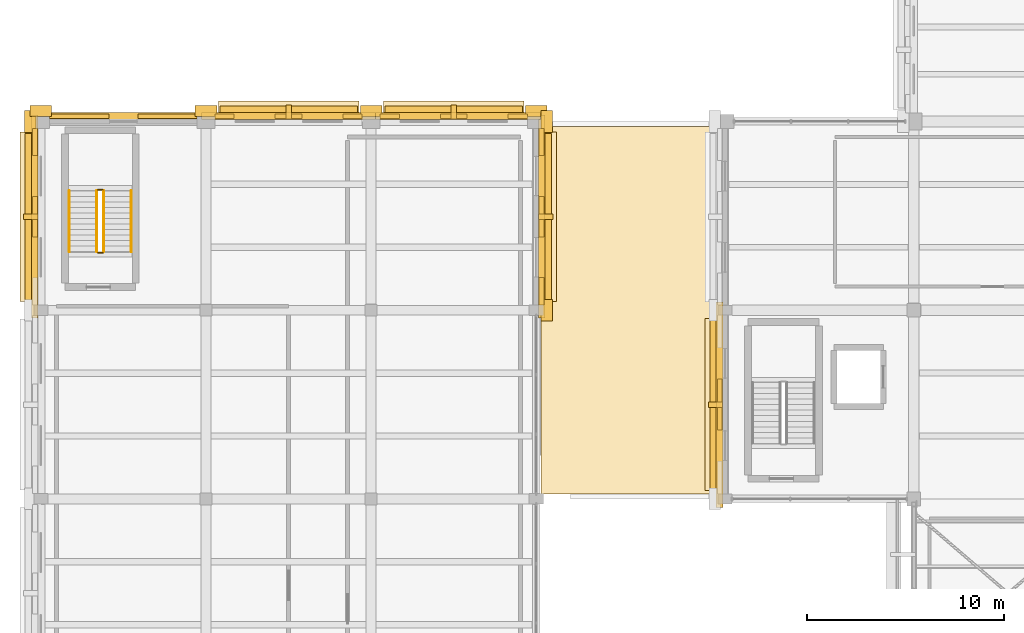
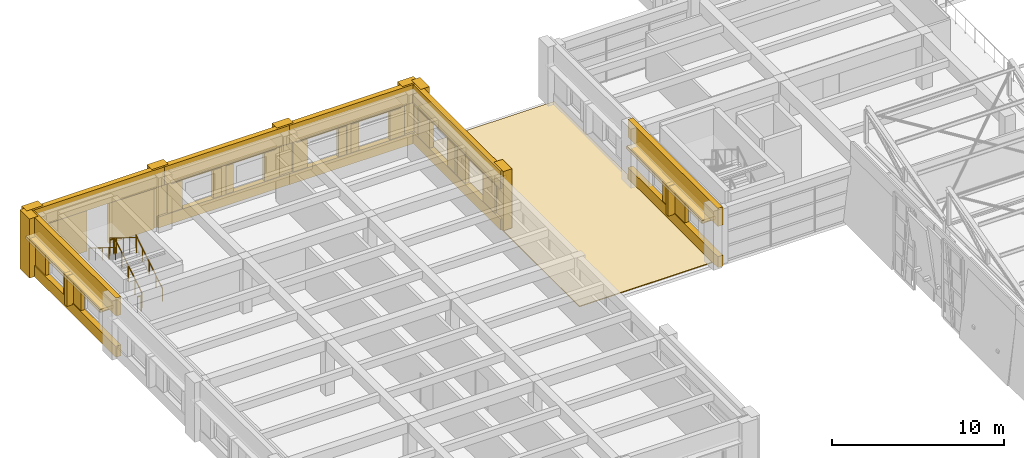
# One storey, part 66 of 71: 43 coverings, 6 railings, 5 shading devices.
"""IFC4 building model written with IfcOpenShell, lengths in metres."""

import ifcopenshell
import ifcopenshell.guid

model = None  # the IFC model being written
_history = None  # IfcOwnerHistory: only IFC2X3 demands one
_inside = {}  # id of a spatial element -> (the spatial element, [elements in it])
_under = {}  # id of a project, library or spatial element -> (it, [spatial elements below it])
_declared = {}  # id of a project -> (the project, [libraries it declares])
_typed = {}  # id of a type object -> (the type object, [elements of that type])
_made_of = {}  # id of a material, layer set ... -> (it, [elements and type objects made of it])


def new_model(schema):
    """Start an empty IFC model of exactly this schema.

    Asked for "IFC4X3", IfcOpenShell would pick the latest addendum, in which some entities
    have other attributes; the version numbers below select the first issue.
    IFC2X3 requires an IfcOwnerHistory on every rooted entity: one is made here for all.
    """
    global model, _history
    if schema == "IFC4X3":
        model = ifcopenshell.file(schema_version=(4, 3, 0, 0))
    else:
        model = ifcopenshell.file(schema=schema)
    _inside.clear()
    _under.clear()
    _declared.clear()
    _typed.clear()
    _made_of.clear()
    _history = None
    if model.schema == "IFC2X3":
        org = make("IfcOrganization", Name="unknown")
        user = make(
            "IfcPersonAndOrganization",
            ThePerson=make("IfcPerson", FamilyName="unknown"),
            TheOrganization=org,
        )
        app = make(
            "IfcApplication",
            ApplicationDeveloper=org,
            Version="unknown",
            ApplicationFullName="unknown",
            ApplicationIdentifier="unknown",
        )
        _history = make(
            "IfcOwnerHistory",
            OwningUser=user,
            OwningApplication=app,
            ChangeAction="ADDED",
            CreationDate=0,
        )
    return model


def make(cls, **values):
    """One entity of the class cls with the attributes given. An attribute that is None is left unset."""
    return model.create_entity(
        cls, **{name: value for name, value in values.items() if value is not None}
    )


def rooted(cls, **values):
    """An entity with a GlobalId (a new one), such as an element, a storey or a relation."""
    return make(cls, GlobalId=ifcopenshell.guid.new(), OwnerHistory=_history, **values)


def si_unit(unit_type, name, prefix=None):
    """IfcSIUnit, for example si_unit("LENGTHUNIT", "METRE", prefix="MILLI")."""
    return make("IfcSIUnit", UnitType=unit_type, Prefix=prefix, Name=name)


def assignment(units):
    """IfcUnitAssignment: the units of a project."""
    return None if units is None else make("IfcUnitAssignment", Units=units)


def point(xyz):
    """IfcCartesianPoint."""
    return None if xyz is None else make("IfcCartesianPoint", Coordinates=xyz)


def direction(xyz):
    """IfcDirection."""
    return None if xyz is None else make("IfcDirection", DirectionRatios=xyz)


def frame(location, z_axis=None, x_axis=None):
    """IfcAxis2Placement3D, a coordinate frame: its origin and axes. An axis left out is left unset."""
    return make(
        "IfcAxis2Placement3D",
        Location=point(location),
        Axis=direction(z_axis),
        RefDirection=direction(x_axis),
    )


def frame_2d(location, x_axis=None):
    """IfcAxis2Placement2D, a coordinate frame in the plane: its origin and x axis."""
    return make(
        "IfcAxis2Placement2D", Location=point(location), RefDirection=direction(x_axis)
    )


def origin():
    """The frame at (0, 0, 0) with its axes left unset."""
    return frame((0.0, 0.0, 0.0))


def origin_2d():
    """The frame at (0, 0) in the plane with its x axis left unset."""
    return frame_2d((0.0, 0.0))


def place(relative_to, where):
    """IfcLocalPlacement: puts the frame where relative to a parent placement (None: the world)."""
    return make(
        "IfcLocalPlacement", PlacementRelTo=relative_to, RelativePlacement=where
    )


def context(
    kind, dimensions, precision=None, world=None, true_north=None, identifier=None
):
    """IfcGeometricRepresentationContext, for example the 3D "Model" context."""
    return make(
        "IfcGeometricRepresentationContext",
        ContextIdentifier=identifier,
        ContextType=kind,
        CoordinateSpaceDimension=dimensions,
        Precision=precision,
        WorldCoordinateSystem=world,
        TrueNorth=true_north,
    )


def subcontext(parent, identifier, kind, view, scale=None):
    """IfcGeometricRepresentationSubContext, for example "Body" below "Model"."""
    return make(
        "IfcGeometricRepresentationSubContext",
        ContextIdentifier=identifier,
        ContextType=kind,
        ParentContext=parent,
        TargetScale=scale,
        TargetView=view,
    )


def project(units=None, contexts=None):
    """IfcProject with its units and contexts."""
    return rooted(
        "IfcProject",
        Name="project",
        RepresentationContexts=contexts,
        UnitsInContext=assignment(units),
    )


def spatial(cls, under=None, at=None, **own):
    """A site, building, storey or space (cls), placed at a placement, below another one or the project."""
    s = rooted(cls, ObjectPlacement=at, **own)
    if under is not None:
        _under.setdefault(under.id(), (under, []))[1].append(s)
    return s


def polyline(points):
    """IfcPolyline through the points."""
    return make("IfcPolyline", Points=[point(p) for p in points])


def profile(cls, at=None, kind="AREA", **sizes):
    """A parametric profile (cls). Its sizes go by their IFC names, for example OverallWidth=200.0."""
    return make(cls, ProfileType=kind, Position=at, **sizes)


def rectangle(**sizes):
    """IfcRectangleProfileDef."""
    return profile("IfcRectangleProfileDef", **sizes)


def circle(**sizes):
    """IfcCircleProfileDef."""
    return profile("IfcCircleProfileDef", **sizes)


def outline(outer, holes=None, kind="AREA"):
    """IfcArbitraryClosedProfileDef: a profile drawn as a closed curve; with holes, ...WithVoids."""
    if holes is None:
        return make("IfcArbitraryClosedProfileDef", ProfileType=kind, OuterCurve=outer)
    return make(
        "IfcArbitraryProfileDefWithVoids",
        ProfileType=kind,
        OuterCurve=outer,
        InnerCurves=holes,
    )


def extrude(swept, where, along, depth):
    """IfcExtrudedAreaSolid: the profile swept, set in the frame where, extruded along a direction by depth."""
    return make(
        "IfcExtrudedAreaSolid",
        SweptArea=swept,
        Position=where,
        ExtrudedDirection=direction(along),
        Depth=depth,
    )


def shape(context_of_items, identifier, shape_type, items):
    """IfcShapeRepresentation: the items that make up one representation, for example the "Body"."""
    return make(
        "IfcShapeRepresentation",
        ContextOfItems=context_of_items,
        RepresentationIdentifier=identifier,
        RepresentationType=shape_type,
        Items=items,
    )


def material(Name=None, Category=None):
    """IfcMaterial."""
    return make("IfcMaterial", Name=Name, Category=Category)


def layer(
    of_material, thickness, ventilated=None, Name=None, Category=None, Priority=None
):
    """IfcMaterialLayer: one layer of a wall or slab, of a material (None: an air gap)."""
    return make(
        "IfcMaterialLayer",
        Material=of_material,
        LayerThickness=thickness,
        IsVentilated=ventilated,
        Name=Name,
        Category=Category,
        Priority=Priority,
    )


def layer_set(layers, Name=None):
    """IfcMaterialLayerSet."""
    return make("IfcMaterialLayerSet", MaterialLayers=layers, LayerSetName=Name)


def made_of(thing, what):
    """Note that an element or type object is made of a material, layer set ...; save() writes the relation."""
    if what is not None:
        _made_of.setdefault(what.id(), (what, []))[1].append(thing)
    return thing


def type_object(cls, material=None, **own):
    """A type object (cls), such as IfcWallType, which elements share."""
    return made_of(rooted(cls, **own), material)


def element(
    cls,
    number,
    at=None,
    inside=None,
    cuts=None,
    type_object=None,
    material=None,
    context=None,
    identifier="Body",
    shape_type=None,
    held_by="IfcProductDefinitionShape",
    body=None,
    shapes=None,
    **own,
):
    """One element of the class cls, such as IfcWall. Its Tag is "e" and its number.

    at: its placement. inside: the storey or other place that contains it. cuts: it is an
    opening in that element (IfcRelVoidsElement). A single representation is given by context,
    identifier, shape_type and body (its items); several are given by shapes. held_by: the class
    of the entity that holds the representations. save() writes the other relations.
    """
    e = rooted(cls, Tag="e%d" % number, ObjectPlacement=at, **own)
    if body is not None:
        shapes = [shape(context, identifier, shape_type, body)]
    if shapes is not None:
        e.Representation = make(held_by, Representations=shapes)
    if inside is not None:
        _inside.setdefault(inside.id(), (inside, []))[1].append(e)
    if cuts is not None:
        rooted(
            "IfcRelVoidsElement", RelatingBuildingElement=cuts, RelatedOpeningElement=e
        )
    if type_object is not None:
        _typed.setdefault(type_object.id(), (type_object, []))[1].append(e)
    return made_of(e, material)


def aggregate(whole, parts):
    """IfcRelAggregates: a whole, such as a stair, and the parts it consists of."""
    return rooted("IfcRelAggregates", RelatingObject=whole, RelatedObjects=parts)


def save(model, path):
    """Write the relations noted so far, then the file.

    IfcRelAggregates (storeys below a building ...), IfcRelContainedInSpatialStructure (elements
    in a storey), IfcRelDefinesByType, IfcRelAssociatesMaterial and IfcRelDeclares: one each for
    every whole, place, type object, material and project.
    """
    for whole, parts in _under.values():
        aggregate(whole, parts)
    for where, things in _inside.values():
        rooted(
            "IfcRelContainedInSpatialStructure",
            RelatedElements=things,
            RelatingStructure=where,
        )
    for kind, things in _typed.values():
        rooted("IfcRelDefinesByType", RelatedObjects=things, RelatingType=kind)
    for what, things in _made_of.values():
        rooted("IfcRelAssociatesMaterial", RelatedObjects=things, RelatingMaterial=what)
    for by, libraries in _declared.values():
        rooted("IfcRelDeclares", RelatingContext=by, RelatedDefinitions=libraries)
    model.write(path)


model = new_model("IFC4")

# Units and contexts
model_context = context("Model", 3, precision=1e-05, world=origin(), true_north=direction((0.0, 1.0)))
body_context = subcontext(model_context, "Body", "Model", "MODEL_VIEW")
ifc_project = project(units=[si_unit("LENGTHUNIT", "METRE"), si_unit("AREAUNIT", "SQUARE_METRE"), si_unit("VOLUMEUNIT", "CUBIC_METRE"), si_unit("PLANEANGLEUNIT", "RADIAN"), si_unit("MASSUNIT", "GRAM", prefix="KILO")], contexts=[model_context])

# Site, building, storey
site_placement = place(None, origin())
site = spatial("IfcSite", under=ifc_project, at=site_placement, CompositionType="ELEMENT")
building_placement = place(site_placement, origin())
building = spatial("IfcBuilding", under=site, at=building_placement, Name="Bempovik Park Faculty of Sciences", CompositionType="ELEMENT")
storey_placement = place(building_placement, frame((0.0, 0.0, 14.10009765625)))
storey = spatial("IfcBuildingStorey", under=building, at=storey_placement, Name="L03", CompositionType="ELEMENT", Elevation=14.10009765625)

# Coverings
ifc_material_1 = material(Name="Precast concrete C40/50", Category="concrete")
ifc_layer_1 = layer(ifc_material_1, 0.179931640625)
ifc_layer_set_1 = layer_set([ifc_layer_1], Name="Precast concrete C40/50")
covering_type_1 = type_object("IfcCoveringType", Name="CL-02 Classical Cornice Band 180mm", PredefinedType="CLADDING", material=ifc_layer_set_1)
covering_1_placement = place(storey_placement, frame((49.830078125, 72.60009765625, 2.81005859375), z_axis=(0.0, 0.0, 1.0), x_axis=(1.0, 0.0, 0.0)))
element("IfcCovering", 1, at=covering_1_placement, inside=storey, type_object=covering_type_1, Name="L03 Classical Stone Solar Window Hood EW-L03-8411", PredefinedType="CLADDING", context=body_context, shape_type="SweptSolid", body=[
    extrude(rectangle(XDim=0.919921875, YDim=8.74609375, at=origin_2d()), origin(), (0.0, 0.0, 1.0), 0.219970703125),
])
for number, where, z_axis, x_axis, name in (
    (2, (28.199951171875, 87.570068359375, 2.85986328125), (0.0, 0.0, 1.0), (1.0, 0.0, 0.0), "L03 Classical Stone Solar Window Hood EW-L03-9133"),
    (3, (36.60009765625, 87.570068359375, 2.85986328125), (0.0, 0.0, 1.0), (1.0, 0.0, 0.0), "L03 Classical Stone Solar Window Hood EW-L03-9145"),
):
    element("IfcCovering", number, at=place(storey_placement, frame(where, z_axis=z_axis, x_axis=x_axis)), inside=storey, type_object=covering_type_1, Name=name, PredefinedType="CLADDING", context=body_context, shape_type="SweptSolid", body=[
        extrude(rectangle(XDim=7.14599609375, YDim=0.919921875, at=origin_2d()), origin(), (0.0, 0.0, 1.0), 0.219970703125),
    ])
for number, where, z_axis, x_axis, name in (
    (4, (41.3701171875, 82.159912109375, 2.85986328125), (0.0, 0.0, 1.0), (1.0, 0.0, 0.0), "L03 Classical Stone Solar Window Hood EW-L03-9206"),
    (5, (15.0, 82.159912109375, 2.85986328125), (0.0, 0.0, 1.0), (1.0, 0.0, 0.0), "L03 Classical Stone Solar Window Hood EW-L03-9291"),
):
    element("IfcCovering", number, at=place(storey_placement, frame(where, z_axis=z_axis, x_axis=x_axis)), inside=storey, type_object=covering_type_1, Name=name, PredefinedType="CLADDING", context=body_context, shape_type="SweptSolid", body=[
        extrude(rectangle(XDim=0.919921875, YDim=8.6259765625, at=origin_2d()), origin(), (0.0, 0.0, 1.0), 0.219970703125),
    ])
ifc_material_2 = material(Name="White reconstituted limestone precast C40/50", Category="masonry")
ifc_layer_2 = layer(ifc_material_2, 0.239990234375)
ifc_layer_set_2 = layer_set([ifc_layer_2], Name="White reconstituted limestone precast C40/50")
covering_type_2 = type_object("IfcCoveringType", Name="CL-03 Classical Fluted Limestone Pilaster 240mm", PredefinedType="CLADDING", material=ifc_layer_set_2)
covering_2_placement = place(storey_placement, frame((50.1201171875, 72.60009765625, 2.919921875), z_axis=(0.0, 0.0, 1.0), x_axis=(1.0, 0.0, 0.0)))
element("IfcCovering", 6, at=covering_2_placement, inside=storey, type_object=covering_type_2, Name="L03 Classical Limestone Spandrel Entablature EW-L03-8411", PredefinedType="CLADDING", context=body_context, shape_type="SweptSolid", body=[
    extrude(rectangle(XDim=0.340087890625, YDim=10.446044921875, at=origin_2d()), origin(), (0.0, 0.0, 1.0), 1.280029296875),
])
covering_3_placement = place(storey_placement, frame((50.1201171875, 72.60009765625, 0.0), z_axis=(0.0, 0.0, 1.0), x_axis=(1.0, 0.0, 0.0)))
element("IfcCovering", 7, at=covering_3_placement, inside=storey, type_object=covering_type_2, Name="L03 Classical Limestone Sill Dado EW-L03-8411", PredefinedType="CLADDING", context=body_context, shape_type="SweptSolid", body=[
    extrude(rectangle(XDim=0.340087890625, YDim=10.446044921875, at=origin_2d()), origin(), (0.0, 0.0, 1.0), 0.780029296875),
])
covering_4_placement = place(storey_placement, frame((50.1298828125, 72.60009765625, -0.000244140625), z_axis=(0.0, 0.0, 1.0), x_axis=(1.0, 0.0, 0.0)))
element("IfcCovering", 8, at=covering_4_placement, inside=storey, type_object=covering_type_2, Name="L03 White Limestone Wall Cheek EW-L03-8411-2", PredefinedType="CLADDING", context=body_context, shape_type="SweptSolid", body=[
    extrude(rectangle(XDim=0.239990234375, YDim=2.604248046875, at=origin_2d()), origin(), (0.0, 0.0, 1.0), 3.080078125),
])
covering_5_placement = place(storey_placement, frame((49.919921875, 72.60009765625, 0.699951171875), z_axis=(0.0, 0.0, 1.0), x_axis=(1.0, 0.0, 0.0)))
element("IfcCovering", 9, at=covering_5_placement, inside=storey, type_object=covering_type_2, Name="L03 Classical Vertical Stone Shading Fin EW-L03-8411", PredefinedType="CLADDING", context=body_context, shape_type="SweptSolid", body=[
    extrude(rectangle(XDim=0.719970703125, YDim=0.280029296875, at=origin_2d()), origin(), (0.0, 0.0, 1.0), 2.14990234375),
])
covering_6_placement = place(storey_placement, frame((19.800048828125, 87.280029296875, 2.919921875), z_axis=(0.0, 0.0, 1.0), x_axis=(1.0, 0.0, 0.0)))
element("IfcCovering", 10, at=covering_6_placement, inside=storey, type_object=covering_type_2, Name="L03 Classical Limestone Spandrel Entablature EW-L03-9126", PredefinedType="CLADDING", context=body_context, shape_type="SweptSolid", body=[
    extrude(rectangle(XDim=8.845947265625, YDim=0.340087890625, at=origin_2d()), origin(), (0.0, 0.0, 1.0), 1.280029296875),
])
for number, where, z_axis, x_axis, name in (
    (11, (15.60009765625, 87.530029296875, 0.0), (0.0, 0.0, 1.0), (1.0, 0.0, 0.0), "L03 Classical Fluted Stone Pilaster PIL-BA-L03-156-875"),
    (12, (24.0, 87.530029296875, 0.0), (0.0, 0.0, 1.0), (1.0, 0.0, 0.0), "L03 Classical Fluted Stone Pilaster PIL-BA-L03-240-875"),
):
    element("IfcCovering", number, at=place(storey_placement, frame(where, z_axis=z_axis, x_axis=x_axis)), inside=storey, type_object=covering_type_2, Name=name, PredefinedType="CLADDING", context=body_context, shape_type="SweptSolid", body=[
        extrude(rectangle(XDim=1.10009765625, YDim=0.580078125, at=origin_2d()), origin(), (0.0, 0.0, 1.0), 4.199951171875),
    ])
for number, where, z_axis, x_axis, name in (
    (13, (17.555908203125, 87.27001953125, -0.000244140625), (0.0, 0.0, 1.0), (1.0, 0.0, 0.0), "L03 Stairwell White Limestone Cheek EW-L03-9126-1"),
    (14, (22.0439453125, 87.27001953125, -0.000244140625), (0.0, 0.0, 1.0), (1.0, 0.0, 0.0), "L03 Stairwell White Limestone Cheek EW-L03-9126-2"),
):
    element("IfcCovering", number, at=place(storey_placement, frame(where, z_axis=z_axis, x_axis=x_axis)), inside=storey, type_object=covering_type_2, Name=name, PredefinedType="CLADDING", context=body_context, shape_type="SweptSolid", body=[
        extrude(rectangle(XDim=3.008056640625, YDim=0.239990234375, at=origin_2d()), origin(), (0.0, 0.0, 1.0), 3.080078125),
    ])
covering_7_placement = place(storey_placement, frame((28.199951171875, 87.280029296875, 2.919921875), z_axis=(0.0, 0.0, 1.0), x_axis=(1.0, 0.0, 0.0)))
element("IfcCovering", 15, at=covering_7_placement, inside=storey, type_object=covering_type_2, Name="L03 Classical Limestone Spandrel Entablature EW-L03-9133", PredefinedType="CLADDING", context=body_context, shape_type="SweptSolid", body=[
    extrude(rectangle(XDim=8.845947265625, YDim=0.340087890625, at=origin_2d()), origin(), (0.0, 0.0, 1.0), 1.280029296875),
])
covering_8_placement = place(storey_placement, frame((28.199951171875, 87.280029296875, 0.0), z_axis=(0.0, 0.0, 1.0), x_axis=(1.0, 0.0, 0.0)))
element("IfcCovering", 16, at=covering_8_placement, inside=storey, type_object=covering_type_2, Name="L03 Classical Limestone Sill Dado EW-L03-9133", PredefinedType="CLADDING", context=body_context, shape_type="SweptSolid", body=[
    extrude(rectangle(XDim=8.845947265625, YDim=0.340087890625, at=origin_2d()), origin(), (0.0, 0.0, 1.0), 0.780029296875),
])
covering_9_placement = place(storey_placement, frame((32.39990234375, 87.530029296875, 0.0), z_axis=(0.0, 0.0, 1.0), x_axis=(1.0, 0.0, 0.0)))
element("IfcCovering", 17, at=covering_9_placement, inside=storey, type_object=covering_type_2, Name="L03 Classical Fluted Stone Pilaster PIL-BA-L03-324-875", PredefinedType="CLADDING", context=body_context, shape_type="SweptSolid", body=[
    extrude(rectangle(XDim=1.10009765625, YDim=0.580078125, at=origin_2d()), origin(), (0.0, 0.0, 1.0), 4.199951171875),
])
covering_10_placement = place(storey_placement, frame((24.944091796875, 87.27001953125, -0.000244140625), z_axis=(0.0, 0.0, 1.0), x_axis=(1.0, 0.0, 0.0)))
element("IfcCovering", 18, at=covering_10_placement, inside=storey, type_object=covering_type_2, Name="L03 White Limestone Wall Cheek EW-L03-9133-0", PredefinedType="CLADDING", context=body_context, shape_type="SweptSolid", body=[
    extrude(rectangle(XDim=0.98388671875, YDim=0.239990234375, at=origin_2d()), origin(), (0.0, 0.0, 1.0), 3.080078125),
])
covering_11_placement = place(storey_placement, frame((28.199951171875, 87.27001953125, -0.000244140625), z_axis=(0.0, 0.0, 1.0), x_axis=(1.0, 0.0, 0.0)))
element("IfcCovering", 19, at=covering_11_placement, inside=storey, type_object=covering_type_2, Name="L03 White Limestone Wall Cheek EW-L03-9133-2", PredefinedType="CLADDING", context=body_context, shape_type="SweptSolid", body=[
    extrude(rectangle(XDim=1.3681640625, YDim=0.239990234375, at=origin_2d()), origin(), (0.0, 0.0, 1.0), 3.080078125),
])
covering_12_placement = place(storey_placement, frame((31.4560546875, 87.27001953125, -0.000244140625), z_axis=(0.0, 0.0, 1.0), x_axis=(1.0, 0.0, 0.0)))
element("IfcCovering", 20, at=covering_12_placement, inside=storey, type_object=covering_type_2, Name="L03 White Limestone Wall Cheek EW-L03-9133-4", PredefinedType="CLADDING", context=body_context, shape_type="SweptSolid", body=[
    extrude(rectangle(XDim=0.98388671875, YDim=0.239990234375, at=origin_2d()), origin(), (0.0, 0.0, 1.0), 3.080078125),
])
covering_13_placement = place(storey_placement, frame((28.199951171875, 87.47998046875, 0.69970703125), z_axis=(0.0, 0.0, 1.0), x_axis=(1.0, 0.0, 0.0)))
element("IfcCovering", 21, at=covering_13_placement, inside=storey, type_object=covering_type_2, Name="L03 Classical Vertical Stone Shading Fin EW-L03-9133", PredefinedType="CLADDING", context=body_context, shape_type="SweptSolid", body=[
    extrude(rectangle(XDim=0.280029296875, YDim=0.719970703125, at=origin_2d()), origin(), (0.0, 0.0, 1.0), 2.199951171875),
])
covering_14_placement = place(storey_placement, frame((36.60009765625, 87.280029296875, 2.919921875), z_axis=(0.0, 0.0, 1.0), x_axis=(1.0, 0.0, 0.0)))
element("IfcCovering", 22, at=covering_14_placement, inside=storey, type_object=covering_type_2, Name="L03 Classical Limestone Spandrel Entablature EW-L03-9145", PredefinedType="CLADDING", context=body_context, shape_type="SweptSolid", body=[
    extrude(rectangle(XDim=8.845947265625, YDim=0.340087890625, at=origin_2d()), origin(), (0.0, 0.0, 1.0), 1.280029296875),
])
covering_15_placement = place(storey_placement, frame((36.60009765625, 87.280029296875, 0.0), z_axis=(0.0, 0.0, 1.0), x_axis=(1.0, 0.0, 0.0)))
element("IfcCovering", 23, at=covering_15_placement, inside=storey, type_object=covering_type_2, Name="L03 Classical Limestone Sill Dado EW-L03-9145", PredefinedType="CLADDING", context=body_context, shape_type="SweptSolid", body=[
    extrude(rectangle(XDim=8.845947265625, YDim=0.340087890625, at=origin_2d()), origin(), (0.0, 0.0, 1.0), 0.780029296875),
])
covering_16_placement = place(storey_placement, frame((40.800048828125, 87.530029296875, 0.0), z_axis=(0.0, 0.0, 1.0), x_axis=(1.0, 0.0, 0.0)))
element("IfcCovering", 24, at=covering_16_placement, inside=storey, type_object=covering_type_2, Name="L03 Classical Fluted Stone Pilaster PIL-BA-L03-408-875", PredefinedType="CLADDING", context=body_context, shape_type="SweptSolid", body=[
    extrude(rectangle(XDim=1.10009765625, YDim=0.580078125, at=origin_2d()), origin(), (0.0, 0.0, 1.0), 4.199951171875),
])
covering_17_placement = place(storey_placement, frame((33.343994140625, 87.27001953125, -0.000244140625), z_axis=(0.0, 0.0, 1.0), x_axis=(1.0, 0.0, 0.0)))
element("IfcCovering", 25, at=covering_17_placement, inside=storey, type_object=covering_type_2, Name="L03 White Limestone Wall Cheek EW-L03-9145-0", PredefinedType="CLADDING", context=body_context, shape_type="SweptSolid", body=[
    extrude(rectangle(XDim=0.98388671875, YDim=0.239990234375, at=origin_2d()), origin(), (0.0, 0.0, 1.0), 3.080078125),
])
covering_18_placement = place(storey_placement, frame((36.60009765625, 87.27001953125, -0.000244140625), z_axis=(0.0, 0.0, 1.0), x_axis=(1.0, 0.0, 0.0)))
element("IfcCovering", 26, at=covering_18_placement, inside=storey, type_object=covering_type_2, Name="L03 White Limestone Wall Cheek EW-L03-9145-2", PredefinedType="CLADDING", context=body_context, shape_type="SweptSolid", body=[
    extrude(rectangle(XDim=1.3681640625, YDim=0.239990234375, at=origin_2d()), origin(), (0.0, 0.0, 1.0), 3.080078125),
])
covering_19_placement = place(storey_placement, frame((39.85595703125, 87.27001953125, -0.000244140625), z_axis=(0.0, 0.0, 1.0), x_axis=(1.0, 0.0, 0.0)))
element("IfcCovering", 27, at=covering_19_placement, inside=storey, type_object=covering_type_2, Name="L03 White Limestone Wall Cheek EW-L03-9145-4", PredefinedType="CLADDING", context=body_context, shape_type="SweptSolid", body=[
    extrude(rectangle(XDim=0.98388671875, YDim=0.239990234375, at=origin_2d()), origin(), (0.0, 0.0, 1.0), 3.080078125),
])
covering_20_placement = place(storey_placement, frame((36.60009765625, 87.47998046875, 0.69970703125), z_axis=(0.0, 0.0, 1.0), x_axis=(1.0, 0.0, 0.0)))
element("IfcCovering", 28, at=covering_20_placement, inside=storey, type_object=covering_type_2, Name="L03 Classical Vertical Stone Shading Fin EW-L03-9145", PredefinedType="CLADDING", context=body_context, shape_type="SweptSolid", body=[
    extrude(rectangle(XDim=0.280029296875, YDim=0.719970703125, at=origin_2d()), origin(), (0.0, 0.0, 1.0), 2.199951171875),
])
covering_21_placement = place(storey_placement, frame((41.080078125, 82.159912109375, 2.919921875), z_axis=(0.0, 0.0, 1.0), x_axis=(1.0, 0.0, 0.0)))
element("IfcCovering", 29, at=covering_21_placement, inside=storey, type_object=covering_type_2, Name="L03 Classical Limestone Spandrel Entablature EW-L03-9206", PredefinedType="CLADDING", context=body_context, shape_type="SweptSolid", body=[
    extrude(rectangle(XDim=0.340087890625, YDim=10.325927734375, at=origin_2d()), origin(), (0.0, 0.0, 1.0), 1.280029296875),
])
covering_22_placement = place(storey_placement, frame((41.080078125, 82.159912109375, 0.0), z_axis=(0.0, 0.0, 1.0), x_axis=(1.0, 0.0, 0.0)))
element("IfcCovering", 30, at=covering_22_placement, inside=storey, type_object=covering_type_2, Name="L03 Classical Limestone Sill Dado EW-L03-9206", PredefinedType="CLADDING", context=body_context, shape_type="SweptSolid", body=[
    extrude(rectangle(XDim=0.340087890625, YDim=10.325927734375, at=origin_2d()), origin(), (0.0, 0.0, 1.0), 0.780029296875),
])
for number, where, z_axis, x_axis, name in (
    (31, (41.330078125, 77.39990234375, 0.0), (0.0, 0.0, 1.0), (1.0, 0.0, 0.0), "L03 Classical Fluted Stone Pilaster PIL-BA-L03-413-774"),
    (32, (41.330078125, 87.0, 0.0), (0.0, 0.0, 1.0), (1.0, 0.0, 0.0), "L03 Classical Fluted Stone Pilaster PIL-BA-L03-413-870"),
):
    element("IfcCovering", number, at=place(storey_placement, frame(where, z_axis=z_axis, x_axis=x_axis)), inside=storey, type_object=covering_type_2, Name=name, PredefinedType="CLADDING", context=body_context, shape_type="SweptSolid", body=[
        extrude(rectangle(XDim=0.580078125, YDim=1.10009765625, at=origin_2d()), origin(), (0.0, 0.0, 1.0), 4.199951171875),
    ])
covering_23_placement = place(storey_placement, frame((41.070068359375, 78.36376953125, -0.000244140625), z_axis=(0.0, 0.0, 1.0), x_axis=(1.0, 0.0, 0.0)))
element("IfcCovering", 33, at=covering_23_placement, inside=storey, type_object=covering_type_2, Name="L03 White Limestone Wall Cheek EW-L03-9206-0", PredefinedType="CLADDING", context=body_context, shape_type="SweptSolid", body=[
    extrude(rectangle(XDim=0.239990234375, YDim=1.383544921875, at=origin_2d()), origin(), (0.0, 0.0, 1.0), 3.080078125),
])
covering_24_placement = place(storey_placement, frame((41.070068359375, 82.159912109375, -0.000244140625), z_axis=(0.0, 0.0, 1.0), x_axis=(1.0, 0.0, 0.0)))
element("IfcCovering", 34, at=covering_24_placement, inside=storey, type_object=covering_type_2, Name="L03 White Limestone Wall Cheek EW-L03-9206-2", PredefinedType="CLADDING", context=body_context, shape_type="SweptSolid", body=[
    extrude(rectangle(XDim=0.239990234375, YDim=2.049072265625, at=origin_2d()), origin(), (0.0, 0.0, 1.0), 3.080078125),
])
covering_25_placement = place(storey_placement, frame((41.070068359375, 85.956298828125, -0.000244140625), z_axis=(0.0, 0.0, 1.0), x_axis=(1.0, 0.0, 0.0)))
element("IfcCovering", 35, at=covering_25_placement, inside=storey, type_object=covering_type_2, Name="L03 White Limestone Wall Cheek EW-L03-9206-4", PredefinedType="CLADDING", context=body_context, shape_type="SweptSolid", body=[
    extrude(rectangle(XDim=0.239990234375, YDim=1.383544921875, at=origin_2d()), origin(), (0.0, 0.0, 1.0), 3.080078125),
])
covering_26_placement = place(storey_placement, frame((41.280029296875, 82.159912109375, 0.69970703125), z_axis=(0.0, 0.0, 1.0), x_axis=(1.0, 0.0, 0.0)))
element("IfcCovering", 36, at=covering_26_placement, inside=storey, type_object=covering_type_2, Name="L03 Classical Vertical Stone Shading Fin EW-L03-9206", PredefinedType="CLADDING", context=body_context, shape_type="SweptSolid", body=[
    extrude(rectangle(XDim=0.719970703125, YDim=0.280029296875, at=origin_2d()), origin(), (0.0, 0.0, 1.0), 2.199951171875),
])
covering_27_placement = place(storey_placement, frame((15.2900390625, 82.159912109375, 2.919921875), z_axis=(0.0, 0.0, 1.0), x_axis=(1.0, 0.0, 0.0)))
element("IfcCovering", 37, at=covering_27_placement, inside=storey, type_object=covering_type_2, Name="L03 Classical Limestone Spandrel Entablature EW-L03-9291", PredefinedType="CLADDING", context=body_context, shape_type="SweptSolid", body=[
    extrude(rectangle(XDim=0.340087890625, YDim=10.325927734375, at=origin_2d()), origin(), (0.0, 0.0, 1.0), 1.280029296875),
])
covering_28_placement = place(storey_placement, frame((15.2900390625, 82.159912109375, 0.0), z_axis=(0.0, 0.0, 1.0), x_axis=(1.0, 0.0, 0.0)))
element("IfcCovering", 38, at=covering_28_placement, inside=storey, type_object=covering_type_2, Name="L03 Classical Limestone Sill Dado EW-L03-9291", PredefinedType="CLADDING", context=body_context, shape_type="SweptSolid", body=[
    extrude(rectangle(XDim=0.340087890625, YDim=10.325927734375, at=origin_2d()), origin(), (0.0, 0.0, 1.0), 0.780029296875),
])
covering_29_placement = place(storey_placement, frame((15.070068359375, 87.0, 0.0), z_axis=(0.0, 0.0, 1.0), x_axis=(1.0, 0.0, 0.0)))
element("IfcCovering", 39, at=covering_29_placement, inside=storey, type_object=covering_type_2, Name="L03 Classical Fluted Stone Pilaster PIL-BA-L03-151-870", PredefinedType="CLADDING", context=body_context, shape_type="SweptSolid", body=[
    extrude(rectangle(XDim=0.580078125, YDim=1.10009765625, at=origin_2d()), origin(), (0.0, 0.0, 1.0), 4.199951171875),
])
covering_30_placement = place(storey_placement, frame((15.300048828125, 82.159912109375, -0.000244140625), z_axis=(0.0, 0.0, 1.0), x_axis=(1.0, 0.0, 0.0)))
element("IfcCovering", 40, at=covering_30_placement, inside=storey, type_object=covering_type_2, Name="L03 White Limestone Wall Cheek EW-L03-9291-2", PredefinedType="CLADDING", context=body_context, shape_type="SweptSolid", body=[
    extrude(rectangle(XDim=0.239990234375, YDim=2.049072265625, at=origin_2d()), origin(), (0.0, 0.0, 1.0), 3.080078125),
])
covering_31_placement = place(storey_placement, frame((15.300048828125, 85.956298828125, -0.000244140625), z_axis=(0.0, 0.0, 1.0), x_axis=(1.0, 0.0, 0.0)))
element("IfcCovering", 41, at=covering_31_placement, inside=storey, type_object=covering_type_2, Name="L03 White Limestone Wall Cheek EW-L03-9291-4", PredefinedType="CLADDING", context=body_context, shape_type="SweptSolid", body=[
    extrude(rectangle(XDim=0.239990234375, YDim=1.383544921875, at=origin_2d()), origin(), (0.0, 0.0, 1.0), 3.080078125),
])
covering_32_placement = place(storey_placement, frame((15.090087890625, 82.159912109375, 0.69970703125), z_axis=(0.0, 0.0, 1.0), x_axis=(1.0, 0.0, 0.0)))
element("IfcCovering", 42, at=covering_32_placement, inside=storey, type_object=covering_type_2, Name="L03 Classical Vertical Stone Shading Fin EW-L03-9291", PredefinedType="CLADDING", context=body_context, shape_type="SweptSolid", body=[
    extrude(rectangle(XDim=0.719970703125, YDim=0.280029296875, at=origin_2d()), origin(), (0.0, 0.0, 1.0), 2.199951171875),
])

# Railings
ifc_material_3 = material(Name="Anodised architectural bronze")
railing_type_1 = type_object("IfcRailingType", Name="GR-01 Guardrail 1120mm", PredefinedType="GUARDRAIL", material=ifc_material_3)
railing_1_placement = place(storey_placement, frame((18.800048828125, 80.375, 0.1748046875)))
element("IfcRailing", 43, at=railing_1_placement, inside=storey, type_object=railing_type_1, Name="L03 ST-3 Stair Guard 1", PredefinedType="GUARDRAIL", context=body_context, shape_type="SweptSolid", body=[
    extrude(circle(Radius=0.02392578125, at=origin_2d()), frame((0.0, 0.0, 1.09619140625), z_axis=(0.0, 0.84905059285, 0.528311547082), x_axis=(-1.0, 0.0, 0.0)), (0.0, 0.0, 1.0), 3.643798828125),
    extrude(circle(Radius=0.02099609375, at=origin_2d()), origin(), (0.0, 0.0, 1.0), 1.072021484375),
    extrude(circle(Radius=0.02099609375, at=origin_2d()), frame((0.0, 0.7734375, 0.481201171875)), (0.0, 0.0, 1.0), 1.072021484375),
    extrude(circle(Radius=0.02099609375, at=origin_2d()), frame((0.0, 1.546875, 0.96240234375)), (0.0, 0.0, 1.0), 1.072021484375),
    extrude(circle(Radius=0.02099609375, at=origin_2d()), frame((0.0, 2.3203125, 1.44384765625)), (0.0, 0.0, 1.0), 1.072021484375),
    extrude(circle(Radius=0.02099609375, at=origin_2d()), frame((0.0, 3.09375, 1.925048828125)), (0.0, 0.0, 1.0), 1.072021484375),
])
railing_2_placement = place(storey_placement, frame((18.75, 83.518798828125, 2.099853515625)))
element("IfcRailing", 44, at=railing_2_placement, inside=storey, type_object=railing_type_1, Name="L03 ST-3 Stair Guard 2", PredefinedType="GUARDRAIL", context=body_context, shape_type="SweptSolid", body=[
    extrude(circle(Radius=0.02392578125, at=origin_2d()), frame((0.0, 0.0, 1.09619140625), z_axis=(-1.0, 0.0, 0.0), x_axis=(0.0, -1.0, 0.0)), (0.0, 0.0, 1.0), 0.25),
    extrude(circle(Radius=0.02099609375, at=origin_2d()), origin(), (0.0, 0.0, 1.0), 1.072021484375),
    extrude(circle(Radius=0.02099609375, at=origin_2d()), frame((-0.25, 0.0, 0.0)), (0.0, 0.0, 1.0), 1.072021484375),
])
railing_3_placement = place(storey_placement, frame((18.449951171875, 83.46875, 2.27490234375)))
element("IfcRailing", 45, at=railing_3_placement, inside=storey, type_object=railing_type_1, Name="L03 ST-3 Stair Guard 3", PredefinedType="GUARDRAIL", context=body_context, shape_type="SweptSolid", body=[
    extrude(circle(Radius=0.02392578125, at=origin_2d()), frame((0.0, 0.0, 1.09619140625), z_axis=(0.0, -0.84905059285, 0.528311547082), x_axis=(1.0, 0.0, 0.0)), (0.0, 0.0, 1.0), 3.643798828125),
    extrude(circle(Radius=0.02099609375, at=origin_2d()), origin(), (0.0, 0.0, 1.0), 1.072021484375),
    extrude(circle(Radius=0.02099609375, at=origin_2d()), frame((0.0, -0.7734375, 0.481201171875)), (0.0, 0.0, 1.0), 1.072021484375),
    extrude(circle(Radius=0.02099609375, at=origin_2d()), frame((0.0, -1.546875, 0.96240234375)), (0.0, 0.0, 1.0), 1.072021484375),
    extrude(circle(Radius=0.02099609375, at=origin_2d()), frame((0.0, -2.3203125, 1.44384765625)), (0.0, 0.0, 1.0), 1.072021484375),
    extrude(circle(Radius=0.02099609375, at=origin_2d()), frame((0.0, -3.09375, 1.925048828125)), (0.0, 0.0, 1.0), 1.072021484375),
])
railing_4_placement = place(storey_placement, frame((18.75, 80.324951171875, 0.0)))
element("IfcRailing", 46, at=railing_4_placement, inside=storey, type_object=railing_type_1, Name="L03 ST-3 Stair Guard 4", PredefinedType="GUARDRAIL", context=body_context, shape_type="SweptSolid", body=[
    extrude(circle(Radius=0.02392578125, at=origin_2d()), frame((0.0, 0.0, 1.09619140625), z_axis=(-1.0, 0.0, 0.0), x_axis=(0.0, -1.0, 0.0)), (0.0, 0.0, 1.0), 0.25),
    extrude(circle(Radius=0.02099609375, at=origin_2d()), origin(), (0.0, 0.0, 1.0), 1.072021484375),
    extrude(circle(Radius=0.02099609375, at=origin_2d()), frame((-0.25, 0.0, 0.0)), (0.0, 0.0, 1.0), 1.072021484375),
])
railing_type_2 = type_object("IfcRailingType", Name="HR-01 Wall Handrail 900mm", PredefinedType="HANDRAIL", material=ifc_material_3)
railing_5_placement = place(storey_placement, frame((20.199951171875, 80.375, 0.1748046875)))
element("IfcRailing", 47, at=railing_5_placement, inside=storey, type_object=railing_type_2, Name="L03 ST-3 Stair Handrail 1", PredefinedType="HANDRAIL", context=body_context, shape_type="SweptSolid", body=[
    extrude(circle(Radius=0.02392578125, at=origin_2d()), frame((0.0, 0.0, 0.8759765625), z_axis=(0.0, 0.84905059285, 0.528311547082), x_axis=(-1.0, 0.0, 0.0)), (0.0, 0.0, 1.0), 3.643798828125),
    extrude(circle(Radius=0.02099609375, at=origin_2d()), origin(), (0.0, 0.0, 1.0), 0.851806640625),
    extrude(circle(Radius=0.02099609375, at=origin_2d()), frame((0.0, 0.7734375, 0.481201171875)), (0.0, 0.0, 1.0), 0.851806640625),
    extrude(circle(Radius=0.02099609375, at=origin_2d()), frame((0.0, 1.546875, 0.96240234375)), (0.0, 0.0, 1.0), 0.851806640625),
    extrude(circle(Radius=0.02099609375, at=origin_2d()), frame((0.0, 2.3203125, 1.44384765625)), (0.0, 0.0, 1.0), 0.851806640625),
    extrude(circle(Radius=0.02099609375, at=origin_2d()), frame((0.0, 3.09375, 1.925048828125)), (0.0, 0.0, 1.0), 0.851806640625),
])
railing_6_placement = place(storey_placement, frame((17.050048828125, 83.46875, 2.27490234375)))
element("IfcRailing", 48, at=railing_6_placement, inside=storey, type_object=railing_type_2, Name="L03 ST-3 Stair Handrail 2", PredefinedType="HANDRAIL", context=body_context, shape_type="SweptSolid", body=[
    extrude(circle(Radius=0.02392578125, at=origin_2d()), frame((0.0, 0.0, 0.8759765625), z_axis=(0.0, -0.84905059285, 0.528311547082), x_axis=(1.0, 0.0, 0.0)), (0.0, 0.0, 1.0), 3.643798828125),
    extrude(circle(Radius=0.02099609375, at=origin_2d()), origin(), (0.0, 0.0, 1.0), 0.851806640625),
    extrude(circle(Radius=0.02099609375, at=origin_2d()), frame((0.0, -0.7734375, 0.481201171875)), (0.0, 0.0, 1.0), 0.851806640625),
    extrude(circle(Radius=0.02099609375, at=origin_2d()), frame((0.0, -1.546875, 0.96240234375)), (0.0, 0.0, 1.0), 0.851806640625),
    extrude(circle(Radius=0.02099609375, at=origin_2d()), frame((0.0, -2.3203125, 1.44384765625)), (0.0, 0.0, 1.0), 0.851806640625),
    extrude(circle(Radius=0.02099609375, at=origin_2d()), frame((0.0, -3.09375, 1.925048828125)), (0.0, 0.0, 1.0), 0.851806640625),
])

# Covering
ifc_material_4 = material(Name="Insulated cool-roof membrane")
ifc_layer_3 = layer(ifc_material_4, 0.06005859375)
ifc_layer_set_3 = layer_set([ifc_layer_3], Name="Insulated cool-roof membrane")
covering_type_3 = type_object("IfcCoveringType", Name="RF-01 Cool Roof Membrane 60mm", PredefinedType="ROOFING", material=ifc_layer_set_3)
covering_33_placement = place(storey_placement, frame((0.0, 0.0, -0.080078125)))
element("IfcCovering", 49, at=covering_33_placement, inside=storey, type_object=covering_type_3, Name="Cool-Roof Membrane RF-V2-STEPW", PredefinedType="ROOFING", context=body_context, shape_type="SweptSolid", body=[
    extrude(outline(polyline([(41.050048828125, 68.050048828125), (50.14990234375, 68.050048828125), (50.14990234375, 86.75), (41.050048828125, 86.75), (41.050048828125, 68.050048828125)])), origin(), (0.0, 0.0, 1.0), 0.06005859375),
])

# Shading devices
ifc_layer_4 = layer(ifc_material_3, 0.06005859375)
ifc_layer_set_4 = layer_set([ifc_layer_4], Name="Anodised architectural bronze")
shading_device_type = type_object("IfcShadingDeviceType", Name="SH-01 Bronze Brise-Soleil Fin", PredefinedType="USERDEFINED", material=ifc_layer_set_4)
shading_device_placement = place(storey_placement, frame((49.949951171875, 72.60009765625, 2.749755859375), z_axis=(0.0, 0.0, 1.0), x_axis=(1.0, 0.0, 0.0)))
element("IfcShadingDevice", 50, at=shading_device_placement, inside=storey, type_object=shading_device_type, Name="L03 Equatorial Bronze Brise-Soleil EW-L03-8411", ObjectType="BRISE SOLEIL", PredefinedType="USERDEFINED", context=body_context, shape_type="SweptSolid", body=[
    extrude(rectangle(XDim=0.64990234375, YDim=8.595947265625, at=origin_2d()), origin(), (0.0, 0.0, 1.0), 0.06005859375),
])
for number, where, z_axis, x_axis, name in (
    (51, (28.199951171875, 87.449951171875, 2.7998046875), (0.0, 0.0, 1.0), (1.0, 0.0, 0.0), "L03 Equatorial Bronze Brise-Soleil EW-L03-9133"),
    (52, (36.60009765625, 87.449951171875, 2.7998046875), (0.0, 0.0, 1.0), (1.0, 0.0, 0.0), "L03 Equatorial Bronze Brise-Soleil EW-L03-9145"),
):
    element("IfcShadingDevice", number, at=place(storey_placement, frame(where, z_axis=z_axis, x_axis=x_axis)), inside=storey, type_object=shading_device_type, Name=name, ObjectType="BRISE SOLEIL", PredefinedType="USERDEFINED", context=body_context, shape_type="SweptSolid", body=[
        extrude(rectangle(XDim=6.99609375, YDim=0.64990234375, at=origin_2d()), origin(), (0.0, 0.0, 1.0), 0.06005859375),
    ])
for number, where, z_axis, x_axis, name in (
    (53, (41.25, 82.159912109375, 2.7998046875), (0.0, 0.0, 1.0), (1.0, 0.0, 0.0), "L03 Equatorial Bronze Brise-Soleil EW-L03-9206"),
    (54, (15.1201171875, 82.159912109375, 2.7998046875), (0.0, 0.0, 1.0), (1.0, 0.0, 0.0), "L03 Equatorial Bronze Brise-Soleil EW-L03-9291"),
):
    element("IfcShadingDevice", number, at=place(storey_placement, frame(where, z_axis=z_axis, x_axis=x_axis)), inside=storey, type_object=shading_device_type, Name=name, ObjectType="BRISE SOLEIL", PredefinedType="USERDEFINED", context=body_context, shape_type="SweptSolid", body=[
        extrude(rectangle(XDim=0.64990234375, YDim=8.47607421875, at=origin_2d()), origin(), (0.0, 0.0, 1.0), 0.06005859375),
    ])

save(model, "model.ifc")
